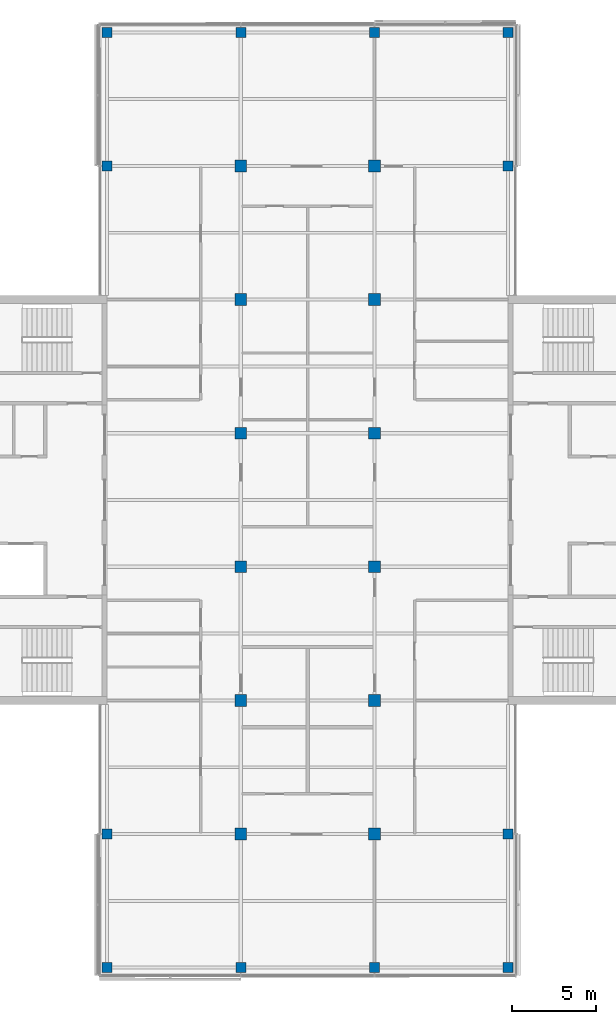
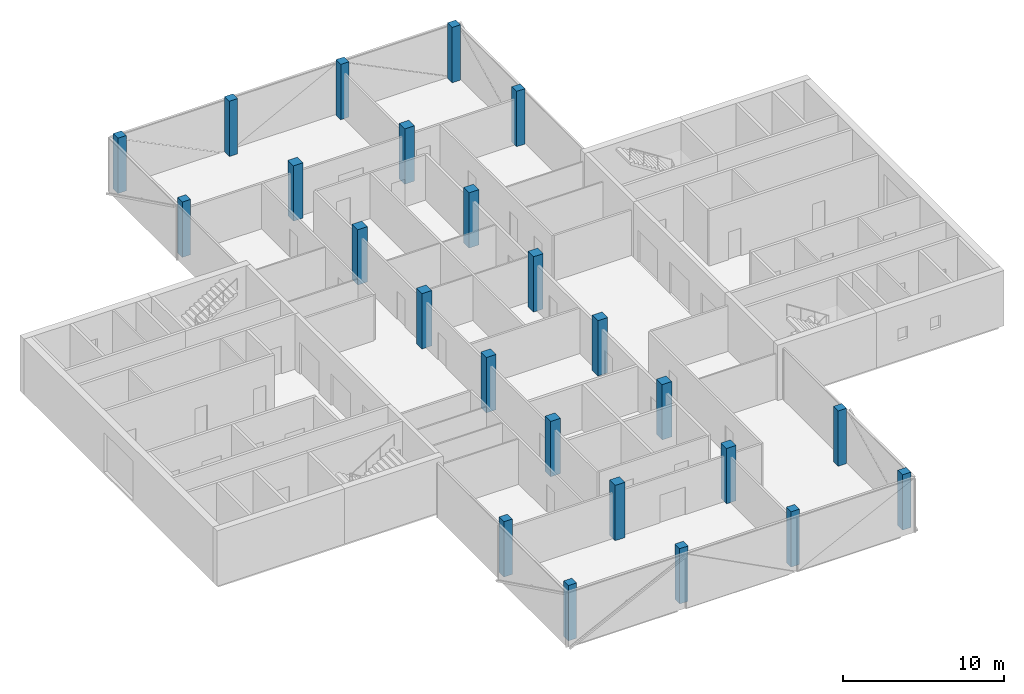
# One storey, part 1 of 16: 24 columns.
"""IFC4 building model written with IfcOpenShell, lengths in metres."""

from ifc_helpers import new_model, si_unit, direction, frame, origin, origin_2d, place, context, subcontext, project, spatial, rectangle, extrude, material, material_profile, profile_set, type_object, element, save


model = new_model("IFC4")

# Units and contexts
model_context = context("Model", 3, precision=1e-05, world=origin(), true_north=direction((0.0, 1.0)))
body_context = subcontext(model_context, "Body", "Model", "MODEL_VIEW")
ifc_project = project(units=[si_unit("LENGTHUNIT", "METRE"), si_unit("AREAUNIT", "SQUARE_METRE"), si_unit("VOLUMEUNIT", "CUBIC_METRE"), si_unit("PLANEANGLEUNIT", "RADIAN"), si_unit("MASSUNIT", "GRAM", prefix="KILO")], contexts=[model_context])

# Site, building, storey
site_placement = place(None, origin())
site = spatial("IfcSite", under=ifc_project, at=site_placement, CompositionType="ELEMENT")
building_placement = place(site_placement, origin())
building = spatial("IfcBuilding", under=site, at=building_placement, Name="Crosswind Convention Tower", CompositionType="ELEMENT")
storey_placement = place(building_placement, frame((0.0, 0.0, 274.5)))
storey = spatial("IfcBuildingStorey", under=building, at=storey_placement, Name="L59", CompositionType="ELEMENT", Elevation=274.5)

# Columns
ifc_material = material(Name="Concrete C60/75", Category="concrete")
ifc_material_profile_1 = material_profile(ifc_material, rectangle(XDim=0.60009765625, YDim=0.60009765625, at=origin_2d()), Name="RC 600X600")
ifc_profile_set_1 = profile_set([ifc_material_profile_1], Name="Concrete C60/75")
column_type_1 = type_object("IfcColumnType", Name="Column RC 600X600", PredefinedType="COLUMN", material=ifc_profile_set_1)
for number, where, z_axis, x_axis, name in (
    (1, (113.0, 72.0, 0.0), (0.0, 0.0, 1.0), (1.0, 0.0, 0.0), "C16 L59 5/C"),
    (2, (113.0, 80.0, 0.0), (0.0, 0.0, 1.0), (1.0, 0.0, 0.0), "C16 L59 5/D"),
    (3, (113.0, 120.0, 0.0), (0.0, 0.0, 1.0), (1.0, 0.0, 0.0), "C16 L59 5/I"),
    (4, (113.0, 128.0, 0.0), (0.0, 0.0, 1.0), (1.0, 0.0, 0.0), "C16 L59 5/J"),
    (5, (121.0, 72.0, 0.0), (0.0, 0.0, 1.0), (1.0, 0.0, 0.0), "C16 L59 6/C"),
    (6, (121.0, 128.0, 0.0), (0.0, 0.0, 1.0), (1.0, 0.0, 0.0), "C16 L59 6/J"),
    (7, (129.0, 72.0, 0.0), (0.0, 0.0, 1.0), (1.0, 0.0, 0.0), "C16 L59 7/C"),
    (8, (129.0, 128.0, 0.0), (0.0, 0.0, 1.0), (1.0, 0.0, 0.0), "C16 L59 7/J"),
    (9, (137.0, 72.0, 0.0), (0.0, 0.0, 1.0), (1.0, 0.0, 0.0), "C16 L59 8/C"),
    (10, (137.0, 80.0, 0.0), (0.0, 0.0, 1.0), (1.0, 0.0, 0.0), "C16 L59 8/D"),
    (11, (137.0, 120.0, 0.0), (0.0, 0.0, 1.0), (1.0, 0.0, 0.0), "C16 L59 8/I"),
    (12, (137.0, 128.0, 0.0), (0.0, 0.0, 1.0), (1.0, 0.0, 0.0), "C16 L59 8/J"),
):
    element("IfcColumn", number, at=place(storey_placement, frame(where, z_axis=z_axis, x_axis=x_axis)), inside=storey, type_object=column_type_1, Name=name, PredefinedType="COLUMN", context=body_context, shape_type="SweptSolid", body=[
        extrude(rectangle(XDim=0.60009765625, YDim=0.60009765625, at=origin_2d()), origin(), (0.0, 0.0, 1.0), 4.199951171875),
    ])
ifc_material_profile_2 = material_profile(ifc_material, rectangle(XDim=0.699951171875, YDim=0.699951171875, at=origin_2d()), Name="RC 700X700")
ifc_profile_set_2 = profile_set([ifc_material_profile_2], Name="Concrete C60/75")
column_type_2 = type_object("IfcColumnType", Name="Column RC 700X700", PredefinedType="COLUMN", material=ifc_profile_set_2)
for number, where, z_axis, x_axis, name in (
    (13, (121.0, 80.0, 0.0), (0.0, 0.0, 1.0), (1.0, 0.0, 0.0), "C15 L59 6/D"),
    (14, (121.0, 88.0, 0.0), (0.0, 0.0, 1.0), (1.0, 0.0, 0.0), "C15 L59 6/E"),
    (15, (121.0, 96.0, 0.0), (0.0, 0.0, 1.0), (1.0, 0.0, 0.0), "C15 L59 6/F"),
    (16, (121.0, 104.0, 0.0), (0.0, 0.0, 1.0), (1.0, 0.0, 0.0), "C15 L59 6/G"),
    (17, (121.0, 112.0, 0.0), (0.0, 0.0, 1.0), (1.0, 0.0, 0.0), "C15 L59 6/H"),
    (18, (121.0, 120.0, 0.0), (0.0, 0.0, 1.0), (1.0, 0.0, 0.0), "C15 L59 6/I"),
    (19, (129.0, 80.0, 0.0), (0.0, 0.0, 1.0), (1.0, 0.0, 0.0), "C15 L59 7/D"),
    (20, (129.0, 88.0, 0.0), (0.0, 0.0, 1.0), (1.0, 0.0, 0.0), "C15 L59 7/E"),
    (21, (129.0, 96.0, 0.0), (0.0, 0.0, 1.0), (1.0, 0.0, 0.0), "C15 L59 7/F"),
    (22, (129.0, 104.0, 0.0), (0.0, 0.0, 1.0), (1.0, 0.0, 0.0), "C15 L59 7/G"),
    (23, (129.0, 112.0, 0.0), (0.0, 0.0, 1.0), (1.0, 0.0, 0.0), "C15 L59 7/H"),
    (24, (129.0, 120.0, 0.0), (0.0, 0.0, 1.0), (1.0, 0.0, 0.0), "C15 L59 7/I"),
):
    element("IfcColumn", number, at=place(storey_placement, frame(where, z_axis=z_axis, x_axis=x_axis)), inside=storey, type_object=column_type_2, Name=name, PredefinedType="COLUMN", context=body_context, shape_type="SweptSolid", body=[
        extrude(rectangle(XDim=0.699951171875, YDim=0.699951171875, at=origin_2d()), origin(), (0.0, 0.0, 1.0), 4.199951171875),
    ])

save(model, "model.ifc")
